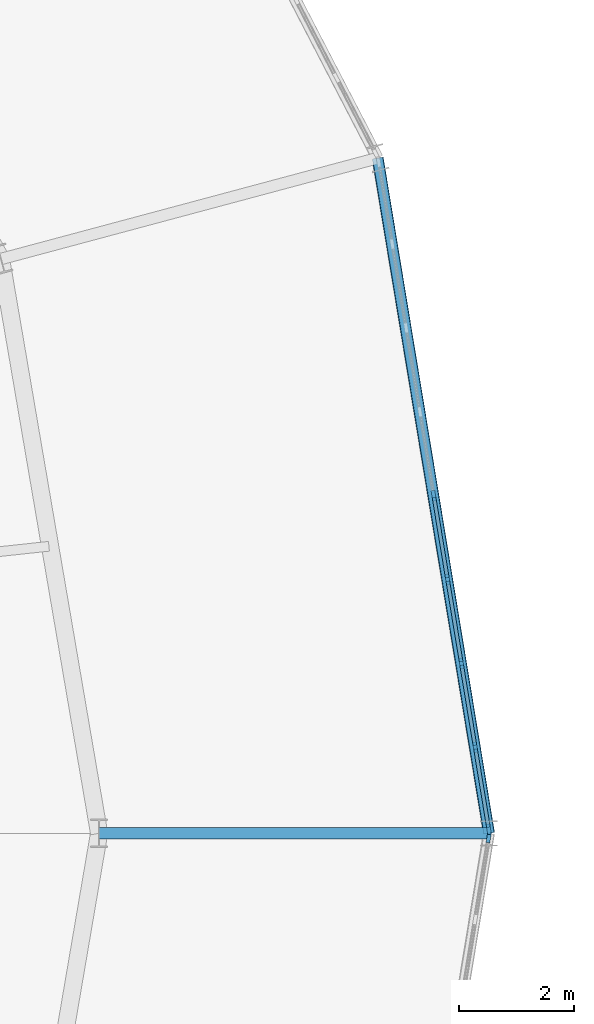
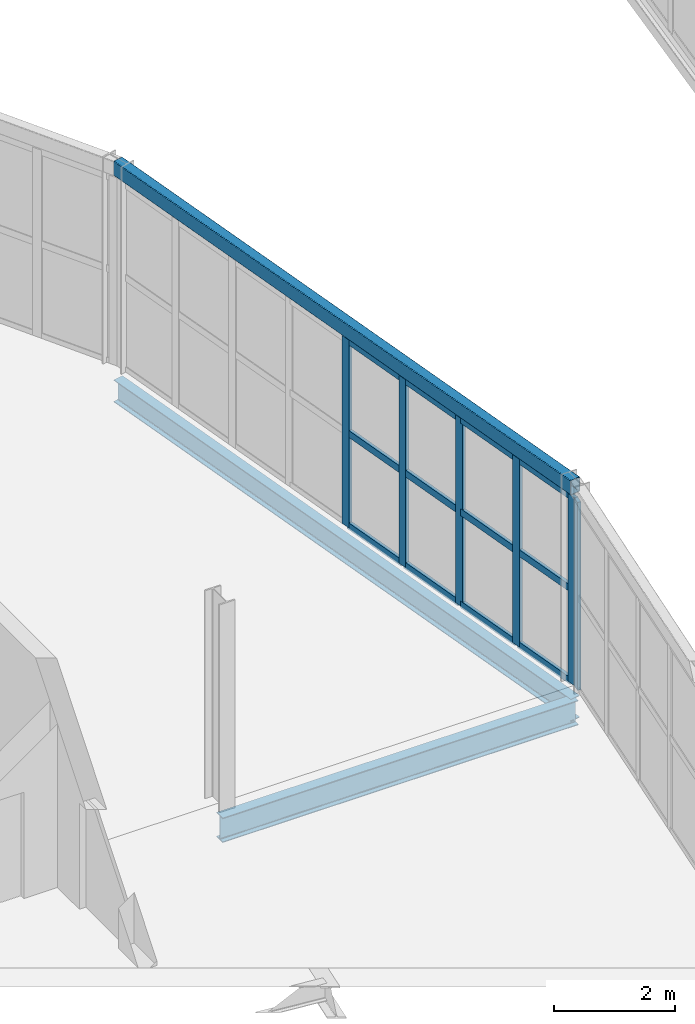
# One storey, part 81 of 161: 18 members, 3 beams, 2 elements without a shape of their own.
"""IFC4 building model written with IfcOpenShell, lengths in metres."""

from ifc_helpers import new_model, si_unit, direction, frame, origin, origin_2d, place, context, subcontext, project, spatial, rectangle, hollow_rectangle, i_section, extrude, material, material_profile, profile_set, type_object, element, aggregate, save


model = new_model("IFC4")

# Units and contexts
model_context = context("Model", 3, precision=1e-05, world=origin(), true_north=direction((0.0, 1.0)))
body_context = subcontext(model_context, "Body", "Model", "MODEL_VIEW")
ifc_project = project(units=[si_unit("LENGTHUNIT", "METRE"), si_unit("AREAUNIT", "SQUARE_METRE"), si_unit("VOLUMEUNIT", "CUBIC_METRE"), si_unit("PLANEANGLEUNIT", "RADIAN"), si_unit("MASSUNIT", "GRAM", prefix="KILO")], contexts=[model_context])

# Site, building, storey
site_placement = place(None, origin())
site = spatial("IfcSite", under=ifc_project, at=site_placement, CompositionType="ELEMENT")
building_placement = place(site_placement, origin())
building = spatial("IfcBuilding", under=site, at=building_placement, Name="Kildeholm Park Wholesale Market", CompositionType="ELEMENT")
storey_placement = place(building_placement, frame((0.0, 0.0, 5.39990234375)))
storey = spatial("IfcBuildingStorey", under=building, at=storey_placement, Name="L01", CompositionType="ELEMENT", Elevation=5.39990234375)

# Beams
ifc_material_1 = material(Name="Steel S355", Category="steel")
ifc_material_profile_1 = material_profile(ifc_material_1, i_section(OverallWidth=0.18994140625, OverallDepth=0.449951171875, WebThickness=0.009521484375, FlangeThickness=0.0146484375, FilletRadius=0.02099609375, at=origin_2d()), Name="IPE 450")
ifc_profile_set_1 = profile_set([ifc_material_profile_1], Name="Steel S355")
beam_type_1 = type_object("IfcBeamType", Name="Beam B-P02 IPE 450", PredefinedType="BEAM", material=ifc_profile_set_1)
beam_1_placement = place(storey_placement, frame((156.0, 89.5, -0.474853515625), z_axis=(-0.162706979486, 0.98667443406, 0.0), x_axis=(-0.98667443406, -0.162706979486, 0.0)))
element("IfcBeam", 1, at=beam_1_placement, inside=storey, type_object=beam_type_1, Name="Beam BM-V1-L01-CO-00 BM-0004", PredefinedType="BEAM", context=body_context, shape_type="SweptSolid", body=[
    extrude(i_section(OverallWidth=0.18994140625, OverallDepth=0.449951171875, WebThickness=0.009521484375, FlangeThickness=0.0146484375, FilletRadius=0.02099609375, at=origin_2d()), origin(), (0.0, 0.0, 1.0), 11.934814453125),
])
ifc_material_profile_2 = material_profile(ifc_material_1, i_section(OverallWidth=0.199951171875, OverallDepth=0.5, WebThickness=0.01025390625, FlangeThickness=0.01611328125, FilletRadius=0.02099609375, at=origin_2d()), Name="IPE 500")
ifc_profile_set_2 = profile_set([ifc_material_profile_2], Name="Steel S355")
beam_type_2 = type_object("IfcBeamType", Name="Beam B-P03 IPE 500", PredefinedType="BEAM", material=ifc_profile_set_2)
beam_2_placement = place(storey_placement, frame((149.199951171875, 89.5, -0.5), z_axis=(1.0, 0.0, 0.0), x_axis=(0.0, 1.0, 0.0)))
element("IfcBeam", 2, at=beam_2_placement, inside=storey, type_object=beam_type_2, Name="Beam BM-V1-L01-R2-00 BM-0001", PredefinedType="BEAM", context=body_context, shape_type="SweptSolid", body=[
    extrude(i_section(OverallWidth=0.199951171875, OverallDepth=0.5, WebThickness=0.01025390625, FlangeThickness=0.01611328125, FilletRadius=0.02099609375, at=origin_2d()), origin(), (0.0, 0.0, 1.0), 6.800048828125),
])
ifc_material_profile_3 = material_profile(ifc_material_1, hollow_rectangle(XDim=0.199951171875, YDim=0.300048828125, WallThickness=0.012451171875, InnerFilletRadius=0.012451171875, OuterFilletRadius=0.02490234375, at=origin_2d()), Name="RHS 300x200x12.5")
ifc_profile_set_3 = profile_set([ifc_material_profile_3], Name="Steel S355")
beam_type_3 = type_object("IfcBeamType", Name="Beam SP-01 RHS 300x200x12.5", PredefinedType="SPANDREL", material=ifc_profile_set_3)
beam_3_placement = place(storey_placement, frame((156.0, 89.5, 4.02294921875), z_axis=(-0.162706979486, 0.98667443406, 0.0), x_axis=(-0.98667443406, -0.162706979486, 0.0)))
element("IfcBeam", 3, at=beam_3_placement, inside=storey, type_object=beam_type_3, Name="Beam SP-V1-EAV-00 BM-0220", PredefinedType="SPANDREL", context=body_context, shape_type="SweptSolid", body=[
    extrude(hollow_rectangle(XDim=0.199951171875, YDim=0.300048828125, WallThickness=0.012451171875, InnerFilletRadius=0.012451171875, OuterFilletRadius=0.02490234375, at=origin_2d()), origin(), (0.0, 0.0, 1.0), 11.934814453125),
])

# Curtain wall, members
ifc_material_2 = material(Name="Anodised aluminium and low-E double-glazed glass", Category="aluminium")
curtain_wall_type = type_object("IfcCurtainWallType", Name="Market hall glazed arcade stick curtain wall CW-01", PredefinedType="NOTDEFINED", material=ifc_material_2)
curtain_wall_1_placement = place(storey_placement, origin())
curtain_wall_1 = element("IfcCurtainWall", 4, at=curtain_wall_1_placement, inside=storey, type_object=curtain_wall_type, Name="Curtain wall CW-V1-OT-00-1 CW-0001", PredefinedType="NOTDEFINED")
ifc_material_3 = material(Name="Anodised aluminium", Category="aluminium")
ifc_material_profile_4 = material_profile(ifc_material_3, rectangle(XDim=0.06494140625, YDim=0.179931640625, at=origin_2d()), Name="CWM 65x180")
ifc_profile_set_4 = profile_set([ifc_material_profile_4], Name="Anodised aluminium")
member_type_1 = type_object("IfcMemberType", Name="Curtain-wall mullion CWM-1 CWM 65x180", PredefinedType="MULLION", material=ifc_profile_set_4)
member_1_placement = place(storey_placement, frame((155.99462890625, 89.572021484375, 0.0), z_axis=(0.0, 0.0, 1.0), x_axis=(-0.98667513756, -0.162702713317, 0.0)))
member_1 = element("IfcMember", 5, at=member_1_placement, type_object=member_type_1, Name="CW-01 mullion 1 MEM-0394", PredefinedType="MULLION", context=body_context, shape_type="SweptSolid", body=[
    extrude(rectangle(XDim=0.06494140625, YDim=0.179931640625, at=origin_2d()), origin(), (0.0, 0.0, 1.0), 3.800048828125),
])
member_2_placement = place(storey_placement, frame((155.7587890625, 91.002197265625, 0.0), z_axis=(0.0, 0.0, 1.0), x_axis=(-0.98667513756, -0.162702713317, 0.0)))
member_2 = element("IfcMember", 6, at=member_2_placement, type_object=member_type_1, Name="CW-01 mullion 2 MEM-0395", PredefinedType="MULLION", context=body_context, shape_type="SweptSolid", body=[
    extrude(rectangle(XDim=0.06494140625, YDim=0.179931640625, at=origin_2d()), origin(), (0.0, 0.0, 1.0), 3.800048828125),
])
member_3_placement = place(storey_placement, frame((155.517822265625, 92.464599609375, 0.0), z_axis=(0.0, 0.0, 1.0), x_axis=(-0.98667513756, -0.162702713317, 0.0)))
member_3 = element("IfcMember", 7, at=member_3_placement, type_object=member_type_1, Name="CW-01 mullion 3 MEM-0396", PredefinedType="MULLION", context=body_context, shape_type="SweptSolid", body=[
    extrude(rectangle(XDim=0.06494140625, YDim=0.179931640625, at=origin_2d()), origin(), (0.0, 0.0, 1.0), 3.800048828125),
])
member_4_placement = place(storey_placement, frame((155.276611328125, 93.9267578125, 0.0), z_axis=(0.0, 0.0, 1.0), x_axis=(-0.98667513756, -0.162702713317, 0.0)))
member_4 = element("IfcMember", 8, at=member_4_placement, type_object=member_type_1, Name="CW-01 mullion 4 MEM-0397", PredefinedType="MULLION", context=body_context, shape_type="SweptSolid", body=[
    extrude(rectangle(XDim=0.06494140625, YDim=0.179931640625, at=origin_2d()), origin(), (0.0, 0.0, 1.0), 3.800048828125),
])
member_5_placement = place(storey_placement, frame((155.035400390625, 95.388916015625, 0.0), z_axis=(0.0, 0.0, 1.0), x_axis=(-0.98667513756, -0.162702713317, 0.0)))
member_5 = element("IfcMember", 9, at=member_5_placement, type_object=member_type_1, Name="CW-01 mullion 5 MEM-0398", PredefinedType="MULLION", context=body_context, shape_type="SweptSolid", body=[
    extrude(rectangle(XDim=0.06494140625, YDim=0.179931640625, at=origin_2d()), origin(), (0.0, 0.0, 1.0), 3.800048828125),
])

# Curtain wall, member
curtain_wall_2_placement = place(storey_placement, origin())
curtain_wall_2 = element("IfcCurtainWall", 10, at=curtain_wall_2_placement, inside=storey, type_object=curtain_wall_type, Name="Curtain wall CW-V1-OT-23-1 CW-0114", PredefinedType="NOTDEFINED")
member_6_placement = place(storey_placement, frame((155.99462890625, 89.427978515625, 0.0), z_axis=(0.0, 0.0, 1.0), x_axis=(-0.98667513756, 0.162702713317, 0.0)))
member_6 = element("IfcMember", 11, at=member_6_placement, type_object=member_type_1, Name="CW-01 mullion 9 MEM-3531", PredefinedType="MULLION", context=body_context, shape_type="SweptSolid", body=[
    extrude(rectangle(XDim=0.06494140625, YDim=0.179931640625, at=origin_2d()), origin(), (0.0, 0.0, 1.0), 3.800048828125),
])
aggregate(curtain_wall_2, [member_6])

# Member
ifc_material_profile_5 = material_profile(ifc_material_3, rectangle(XDim=0.06494140625, YDim=0.139892578125, at=origin_2d()), Name="CWT 65x140")
ifc_profile_set_5 = profile_set([ifc_material_profile_5], Name="Anodised aluminium")
member_type_2 = type_object("IfcMemberType", Name="Curtain-wall transom CWT-1 CWT 65x140", PredefinedType="USERDEFINED", material=ifc_profile_set_5)
member_7_placement = place(storey_placement, frame((155.989501953125, 89.604248046875, 0.03271484375), z_axis=(-0.162768740023, 0.986664247488, 0.0), x_axis=(-0.986664247488, -0.162768740023, 0.0)))
member_7 = element("IfcMember", 12, at=member_7_placement, type_object=member_type_2, Name="CW-01 transom 1.1 MEM-0403", ObjectType="TRANSOM", PredefinedType="USERDEFINED", context=body_context, shape_type="SweptSolid", body=[
    extrude(rectangle(XDim=0.06494140625, YDim=0.139892578125, at=origin_2d()), origin(), (0.0, 0.0, 1.0), 1.384521484375),
])

member_8_placement = place(storey_placement, frame((155.989501953125, 89.604248046875, 1.900146484375), z_axis=(-0.162768740023, 0.986664247488, 0.0), x_axis=(-0.986664247488, -0.162768740023, 0.0)))
member_8 = element("IfcMember", 13, at=member_8_placement, type_object=member_type_2, Name="CW-01 transom 1.2 MEM-0404", ObjectType="TRANSOM", PredefinedType="USERDEFINED", context=body_context, shape_type="SweptSolid", body=[
    extrude(rectangle(XDim=0.06494140625, YDim=0.139892578125, at=origin_2d()), origin(), (0.0, 0.0, 1.0), 1.384521484375),
])

member_9_placement = place(storey_placement, frame((155.989501953125, 89.604248046875, 3.767578125), z_axis=(-0.162768740023, 0.986664247488, 0.0), x_axis=(-0.986664247488, -0.162768740023, 0.0)))
member_9 = element("IfcMember", 14, at=member_9_placement, type_object=member_type_2, Name="CW-01 transom 1.3 MEM-0405", ObjectType="TRANSOM", PredefinedType="USERDEFINED", context=body_context, shape_type="SweptSolid", body=[
    extrude(rectangle(XDim=0.06494140625, YDim=0.139892578125, at=origin_2d()), origin(), (0.0, 0.0, 1.0), 1.384521484375),
])

member_10_placement = place(storey_placement, frame((155.753662109375, 91.034423828125, 0.03271484375), z_axis=(-0.162834009189, 0.9866534779, 0.0), x_axis=(-0.9866534779, -0.162834009189, 0.0)))
member_10 = element("IfcMember", 15, at=member_10_placement, type_object=member_type_2, Name="CW-01 transom 2.1 MEM-0406", ObjectType="TRANSOM", PredefinedType="USERDEFINED", context=body_context, shape_type="SweptSolid", body=[
    extrude(rectangle(XDim=0.06494140625, YDim=0.139892578125, at=origin_2d()), origin(), (0.0, 0.0, 1.0), 1.416748046875),
])

member_11_placement = place(storey_placement, frame((155.753662109375, 91.034423828125, 1.900146484375), z_axis=(-0.162834009189, 0.9866534779, 0.0), x_axis=(-0.9866534779, -0.162834009189, 0.0)))
member_11 = element("IfcMember", 16, at=member_11_placement, type_object=member_type_2, Name="CW-01 transom 2.2 MEM-0407", ObjectType="TRANSOM", PredefinedType="USERDEFINED", context=body_context, shape_type="SweptSolid", body=[
    extrude(rectangle(XDim=0.06494140625, YDim=0.139892578125, at=origin_2d()), origin(), (0.0, 0.0, 1.0), 1.416748046875),
])

member_12_placement = place(storey_placement, frame((155.753662109375, 91.034423828125, 3.767578125), z_axis=(-0.162834009189, 0.9866534779, 0.0), x_axis=(-0.9866534779, -0.162834009189, 0.0)))
member_12 = element("IfcMember", 17, at=member_12_placement, type_object=member_type_2, Name="CW-01 transom 2.3 MEM-0408", ObjectType="TRANSOM", PredefinedType="USERDEFINED", context=body_context, shape_type="SweptSolid", body=[
    extrude(rectangle(XDim=0.06494140625, YDim=0.139892578125, at=origin_2d()), origin(), (0.0, 0.0, 1.0), 1.416748046875),
])

member_13_placement = place(storey_placement, frame((155.512451171875, 92.49658203125, 0.03271484375), z_axis=(-0.162638607798, 0.98668570642, 0.0), x_axis=(-0.98668570642, -0.162638607798, 0.0)))
member_13 = element("IfcMember", 18, at=member_13_placement, type_object=member_type_2, Name="CW-01 transom 3.1 MEM-0409", ObjectType="TRANSOM", PredefinedType="USERDEFINED", context=body_context, shape_type="SweptSolid", body=[
    extrude(rectangle(XDim=0.06494140625, YDim=0.139892578125, at=origin_2d()), origin(), (0.0, 0.0, 1.0), 1.4169921875),
])

member_14_placement = place(storey_placement, frame((155.512451171875, 92.49658203125, 1.900146484375), z_axis=(-0.162638607798, 0.98668570642, 0.0), x_axis=(-0.98668570642, -0.162638607798, 0.0)))
member_14 = element("IfcMember", 19, at=member_14_placement, type_object=member_type_2, Name="CW-01 transom 3.2 MEM-0410", ObjectType="TRANSOM", PredefinedType="USERDEFINED", context=body_context, shape_type="SweptSolid", body=[
    extrude(rectangle(XDim=0.06494140625, YDim=0.139892578125, at=origin_2d()), origin(), (0.0, 0.0, 1.0), 1.4169921875),
])

member_15_placement = place(storey_placement, frame((155.512451171875, 92.49658203125, 3.767578125), z_axis=(-0.162638607798, 0.98668570642, 0.0), x_axis=(-0.98668570642, -0.162638607798, 0.0)))
member_15 = element("IfcMember", 20, at=member_15_placement, type_object=member_type_2, Name="CW-01 transom 3.3 MEM-0411", ObjectType="TRANSOM", PredefinedType="USERDEFINED", context=body_context, shape_type="SweptSolid", body=[
    extrude(rectangle(XDim=0.06494140625, YDim=0.139892578125, at=origin_2d()), origin(), (0.0, 0.0, 1.0), 1.4169921875),
])

member_16_placement = place(storey_placement, frame((155.271240234375, 93.958740234375, 0.03271484375), z_axis=(-0.162638607798, 0.98668570642, 0.0), x_axis=(-0.98668570642, -0.162638607798, 0.0)))
member_16 = element("IfcMember", 21, at=member_16_placement, type_object=member_type_2, Name="CW-01 transom 4.1 MEM-0412", ObjectType="TRANSOM", PredefinedType="USERDEFINED", context=body_context, shape_type="SweptSolid", body=[
    extrude(rectangle(XDim=0.06494140625, YDim=0.139892578125, at=origin_2d()), origin(), (0.0, 0.0, 1.0), 1.4169921875),
])

member_17_placement = place(storey_placement, frame((155.271240234375, 93.958740234375, 1.900146484375), z_axis=(-0.162638607798, 0.98668570642, 0.0), x_axis=(-0.98668570642, -0.162638607798, 0.0)))
member_17 = element("IfcMember", 22, at=member_17_placement, type_object=member_type_2, Name="CW-01 transom 4.2 MEM-0413", ObjectType="TRANSOM", PredefinedType="USERDEFINED", context=body_context, shape_type="SweptSolid", body=[
    extrude(rectangle(XDim=0.06494140625, YDim=0.139892578125, at=origin_2d()), origin(), (0.0, 0.0, 1.0), 1.4169921875),
])

member_18_placement = place(storey_placement, frame((155.271240234375, 93.958740234375, 3.767578125), z_axis=(-0.162638607798, 0.98668570642, 0.0), x_axis=(-0.98668570642, -0.162638607798, 0.0)))
member_18 = element("IfcMember", 23, at=member_18_placement, type_object=member_type_2, Name="CW-01 transom 4.3 MEM-0414", ObjectType="TRANSOM", PredefinedType="USERDEFINED", context=body_context, shape_type="SweptSolid", body=[
    extrude(rectangle(XDim=0.06494140625, YDim=0.139892578125, at=origin_2d()), origin(), (0.0, 0.0, 1.0), 1.4169921875),
])

aggregate(curtain_wall_1, [member_1, member_2, member_3, member_4, member_5, member_7, member_8, member_9, member_10, member_11, member_12, member_13, member_14, member_15, member_16, member_17, member_18])

save(model, "model.ifc")
